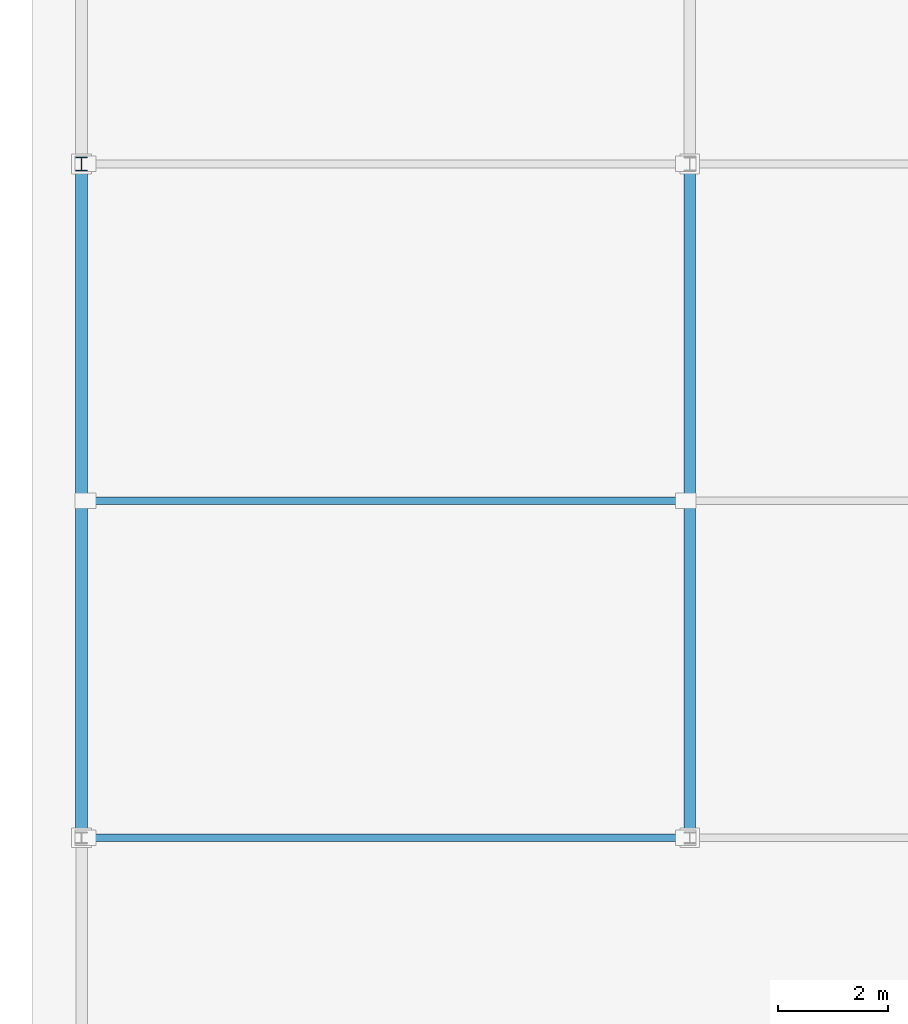
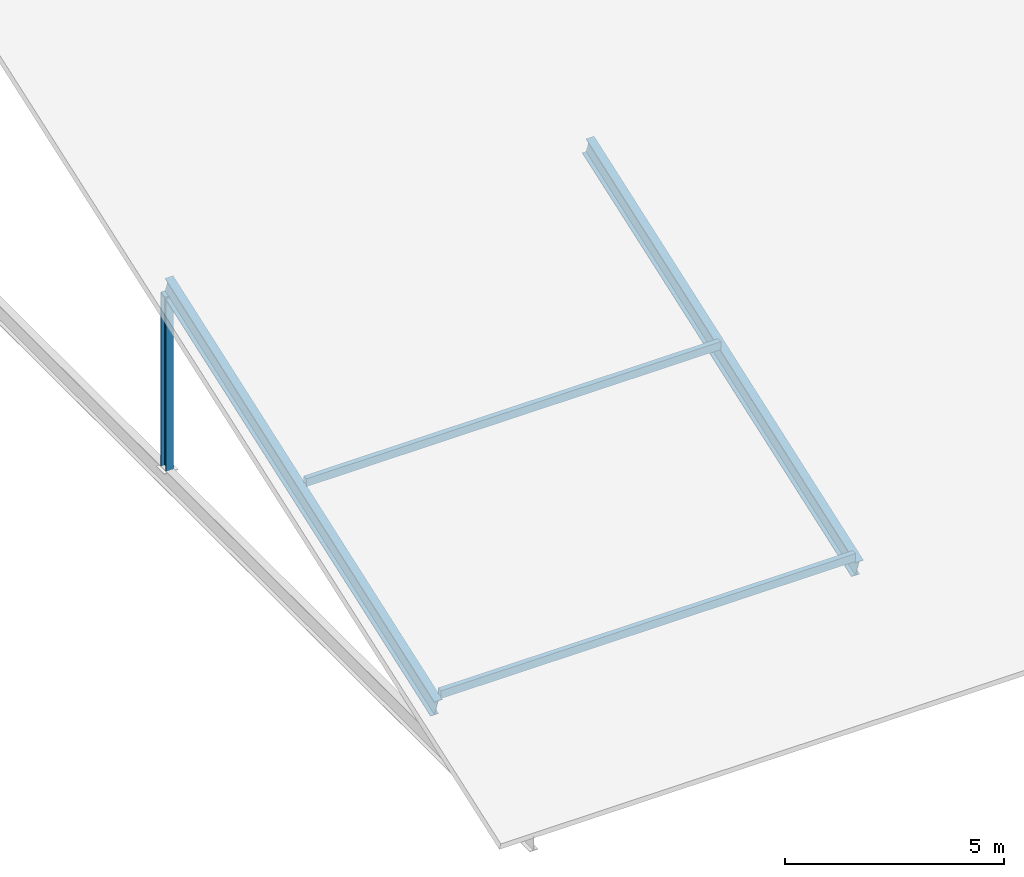
# One storey, part 1 of 42: 3 members, 2 beams.
"""IFC4 building model written with IfcOpenShell, lengths in metres."""

import ifcopenshell
import ifcopenshell.guid

model = None  # the IFC model being written
_history = None  # IfcOwnerHistory: only IFC2X3 demands one
_inside = {}  # id of a spatial element -> (the spatial element, [elements in it])
_under = {}  # id of a project, library or spatial element -> (it, [spatial elements below it])
_declared = {}  # id of a project -> (the project, [libraries it declares])
_typed = {}  # id of a type object -> (the type object, [elements of that type])
_made_of = {}  # id of a material, layer set ... -> (it, [elements and type objects made of it])


def new_model(schema):
    """Start an empty IFC model of exactly this schema.

    Asked for "IFC4X3", IfcOpenShell would pick the latest addendum, in which some entities
    have other attributes; the version numbers below select the first issue.
    IFC2X3 requires an IfcOwnerHistory on every rooted entity: one is made here for all.
    """
    global model, _history
    if schema == "IFC4X3":
        model = ifcopenshell.file(schema_version=(4, 3, 0, 0))
    else:
        model = ifcopenshell.file(schema=schema)
    _inside.clear()
    _under.clear()
    _declared.clear()
    _typed.clear()
    _made_of.clear()
    _history = None
    if model.schema == "IFC2X3":
        org = make("IfcOrganization", Name="unknown")
        user = make(
            "IfcPersonAndOrganization",
            ThePerson=make("IfcPerson", FamilyName="unknown"),
            TheOrganization=org,
        )
        app = make(
            "IfcApplication",
            ApplicationDeveloper=org,
            Version="unknown",
            ApplicationFullName="unknown",
            ApplicationIdentifier="unknown",
        )
        _history = make(
            "IfcOwnerHistory",
            OwningUser=user,
            OwningApplication=app,
            ChangeAction="ADDED",
            CreationDate=0,
        )
    return model


def make(cls, **values):
    """One entity of the class cls with the attributes given. An attribute that is None is left unset."""
    return model.create_entity(
        cls, **{name: value for name, value in values.items() if value is not None}
    )


def rooted(cls, **values):
    """An entity with a GlobalId (a new one), such as an element, a storey or a relation."""
    return make(cls, GlobalId=ifcopenshell.guid.new(), OwnerHistory=_history, **values)


def si_unit(unit_type, name, prefix=None):
    """IfcSIUnit, for example si_unit("LENGTHUNIT", "METRE", prefix="MILLI")."""
    return make("IfcSIUnit", UnitType=unit_type, Prefix=prefix, Name=name)


def assignment(units):
    """IfcUnitAssignment: the units of a project."""
    return None if units is None else make("IfcUnitAssignment", Units=units)


def point(xyz):
    """IfcCartesianPoint."""
    return None if xyz is None else make("IfcCartesianPoint", Coordinates=xyz)


def direction(xyz):
    """IfcDirection."""
    return None if xyz is None else make("IfcDirection", DirectionRatios=xyz)


def frame(location, z_axis=None, x_axis=None):
    """IfcAxis2Placement3D, a coordinate frame: its origin and axes. An axis left out is left unset."""
    return make(
        "IfcAxis2Placement3D",
        Location=point(location),
        Axis=direction(z_axis),
        RefDirection=direction(x_axis),
    )


def frame_2d(location, x_axis=None):
    """IfcAxis2Placement2D, a coordinate frame in the plane: its origin and x axis."""
    return make(
        "IfcAxis2Placement2D", Location=point(location), RefDirection=direction(x_axis)
    )


def origin():
    """The frame at (0, 0, 0) with its axes left unset."""
    return frame((0.0, 0.0, 0.0))


def origin_2d():
    """The frame at (0, 0) in the plane with its x axis left unset."""
    return frame_2d((0.0, 0.0))


def place(relative_to, where):
    """IfcLocalPlacement: puts the frame where relative to a parent placement (None: the world)."""
    return make(
        "IfcLocalPlacement", PlacementRelTo=relative_to, RelativePlacement=where
    )


def context(
    kind, dimensions, precision=None, world=None, true_north=None, identifier=None
):
    """IfcGeometricRepresentationContext, for example the 3D "Model" context."""
    return make(
        "IfcGeometricRepresentationContext",
        ContextIdentifier=identifier,
        ContextType=kind,
        CoordinateSpaceDimension=dimensions,
        Precision=precision,
        WorldCoordinateSystem=world,
        TrueNorth=true_north,
    )


def subcontext(parent, identifier, kind, view, scale=None):
    """IfcGeometricRepresentationSubContext, for example "Body" below "Model"."""
    return make(
        "IfcGeometricRepresentationSubContext",
        ContextIdentifier=identifier,
        ContextType=kind,
        ParentContext=parent,
        TargetScale=scale,
        TargetView=view,
    )


def project(units=None, contexts=None):
    """IfcProject with its units and contexts."""
    return rooted(
        "IfcProject",
        Name="project",
        RepresentationContexts=contexts,
        UnitsInContext=assignment(units),
    )


def spatial(cls, under=None, at=None, **own):
    """A site, building, storey or space (cls), placed at a placement, below another one or the project."""
    s = rooted(cls, ObjectPlacement=at, **own)
    if under is not None:
        _under.setdefault(under.id(), (under, []))[1].append(s)
    return s


def profile(cls, at=None, kind="AREA", **sizes):
    """A parametric profile (cls). Its sizes go by their IFC names, for example OverallWidth=200.0."""
    return make(cls, ProfileType=kind, Position=at, **sizes)


def hollow_rectangle(**sizes):
    """IfcRectangleHollowProfileDef."""
    return profile("IfcRectangleHollowProfileDef", **sizes)


def i_section(**sizes):
    """IfcIShapeProfileDef."""
    return profile("IfcIShapeProfileDef", **sizes)


def extrude(swept, where, along, depth):
    """IfcExtrudedAreaSolid: the profile swept, set in the frame where, extruded along a direction by depth."""
    return make(
        "IfcExtrudedAreaSolid",
        SweptArea=swept,
        Position=where,
        ExtrudedDirection=direction(along),
        Depth=depth,
    )


def shape(context_of_items, identifier, shape_type, items):
    """IfcShapeRepresentation: the items that make up one representation, for example the "Body"."""
    return make(
        "IfcShapeRepresentation",
        ContextOfItems=context_of_items,
        RepresentationIdentifier=identifier,
        RepresentationType=shape_type,
        Items=items,
    )


def material(Name=None, Category=None):
    """IfcMaterial."""
    return make("IfcMaterial", Name=Name, Category=Category)


def material_profile(
    of_material, cross_section, Name=None, Category=None, Priority=None
):
    """IfcMaterialProfile: a cross section and its material."""
    return make(
        "IfcMaterialProfile",
        Name=Name,
        Material=of_material,
        Profile=cross_section,
        Priority=Priority,
        Category=Category,
    )


def profile_set(profiles, Name=None, composite=None):
    """IfcMaterialProfileSet."""
    return make(
        "IfcMaterialProfileSet",
        Name=Name,
        MaterialProfiles=profiles,
        CompositeProfile=composite,
    )


def made_of(thing, what):
    """Note that an element or type object is made of a material, layer set ...; save() writes the relation."""
    if what is not None:
        _made_of.setdefault(what.id(), (what, []))[1].append(thing)
    return thing


def type_object(cls, material=None, **own):
    """A type object (cls), such as IfcWallType, which elements share."""
    return made_of(rooted(cls, **own), material)


def element(
    cls,
    number,
    at=None,
    inside=None,
    cuts=None,
    type_object=None,
    material=None,
    context=None,
    identifier="Body",
    shape_type=None,
    held_by="IfcProductDefinitionShape",
    body=None,
    shapes=None,
    **own,
):
    """One element of the class cls, such as IfcWall. Its Tag is "e" and its number.

    at: its placement. inside: the storey or other place that contains it. cuts: it is an
    opening in that element (IfcRelVoidsElement). A single representation is given by context,
    identifier, shape_type and body (its items); several are given by shapes. held_by: the class
    of the entity that holds the representations. save() writes the other relations.
    """
    e = rooted(cls, Tag="e%d" % number, ObjectPlacement=at, **own)
    if body is not None:
        shapes = [shape(context, identifier, shape_type, body)]
    if shapes is not None:
        e.Representation = make(held_by, Representations=shapes)
    if inside is not None:
        _inside.setdefault(inside.id(), (inside, []))[1].append(e)
    if cuts is not None:
        rooted(
            "IfcRelVoidsElement", RelatingBuildingElement=cuts, RelatedOpeningElement=e
        )
    if type_object is not None:
        _typed.setdefault(type_object.id(), (type_object, []))[1].append(e)
    return made_of(e, material)


def aggregate(whole, parts):
    """IfcRelAggregates: a whole, such as a stair, and the parts it consists of."""
    return rooted("IfcRelAggregates", RelatingObject=whole, RelatedObjects=parts)


def save(model, path):
    """Write the relations noted so far, then the file.

    IfcRelAggregates (storeys below a building ...), IfcRelContainedInSpatialStructure (elements
    in a storey), IfcRelDefinesByType, IfcRelAssociatesMaterial and IfcRelDeclares: one each for
    every whole, place, type object, material and project.
    """
    for whole, parts in _under.values():
        aggregate(whole, parts)
    for where, things in _inside.values():
        rooted(
            "IfcRelContainedInSpatialStructure",
            RelatedElements=things,
            RelatingStructure=where,
        )
    for kind, things in _typed.values():
        rooted("IfcRelDefinesByType", RelatedObjects=things, RelatingType=kind)
    for what, things in _made_of.values():
        rooted("IfcRelAssociatesMaterial", RelatedObjects=things, RelatingMaterial=what)
    for by, libraries in _declared.values():
        rooted("IfcRelDeclares", RelatingContext=by, RelatedDefinitions=libraries)
    model.write(path)


model = new_model("IFC4")

# Units and contexts
model_context = context("Model", 3, precision=1e-05, world=origin(), true_north=direction((0.0, 1.0)))
body_context = subcontext(model_context, "Body", "Model", "MODEL_VIEW")
ifc_project = project(units=[si_unit("LENGTHUNIT", "METRE"), si_unit("AREAUNIT", "SQUARE_METRE"), si_unit("VOLUMEUNIT", "CUBIC_METRE"), si_unit("PLANEANGLEUNIT", "RADIAN"), si_unit("MASSUNIT", "GRAM", prefix="KILO")], contexts=[model_context])

# Site, building, storey
site_placement = place(None, origin())
site = spatial("IfcSite", under=ifc_project, at=site_placement, CompositionType="ELEMENT")
building_placement = place(site_placement, origin())
building = spatial("IfcBuilding", under=site, at=building_placement, Name="Kelmvaro Bay Concert Hall", CompositionType="ELEMENT")
storey_placement = place(building_placement, frame((0.0, 0.0, 26.699951171875)))
storey = spatial("IfcBuildingStorey", under=building, at=storey_placement, Name="RF", CompositionType="ELEMENT", Elevation=26.699951171875)

# Members
ifc_material_1 = material(Name="Steel ASTM A992 Grade 50", Category="steel")
ifc_material_profile_1 = material_profile(ifc_material_1, i_section(OverallWidth=0.201904296875, OverallDepth=0.2470703125, WebThickness=0.00732421875, FlangeThickness=0.010986328125, at=origin_2d()), Name="W10X33")
ifc_profile_set_1 = profile_set([ifc_material_profile_1], Name="Steel ASTM A992 Grade 50")
member_type_1 = type_object("IfcMemberType", Name="Crystal Crown Queen Post W10x33", PredefinedType="STRUT", material=ifc_profile_set_1)
member_placement = place(storey_placement, frame((0.89990234375, 16.800048828125, -12.9150390625), z_axis=(0.0, 0.0, 1.0), x_axis=(1.0, 0.0, 0.0)))
element("IfcMember", 1, at=member_placement, inside=storey, type_object=member_type_1, Name="V3 Crystal Roof Post 002", PredefinedType="STRUT", context=body_context, shape_type="SweptSolid", body=[
    extrude(i_section(OverallWidth=0.201904296875, OverallDepth=0.2470703125, WebThickness=0.00732421875, FlangeThickness=0.010986328125, at=origin_2d()), origin(), (0.0, 0.0, 1.0), 4.862548828125),
])
ifc_material_2 = material(Name="Steel ASTM A500 Grade C", Category="steel")
ifc_material_profile_2 = material_profile(ifc_material_2, hollow_rectangle(XDim=0.139892578125, YDim=0.219970703125, WallThickness=0.010009765625, at=origin_2d()), Name="HSS220X140X10")
ifc_profile_set_2 = profile_set([ifc_material_profile_2], Name="Steel ASTM A500 Grade C")
member_type_2 = type_object("IfcMemberType", Name="Crystal Roof Eave Purlin HSS220x140x10", PredefinedType="PURLIN", material=ifc_profile_set_2)
for number, where, z_axis, x_axis, name in (
    (2, (0.985107421875, 4.5, -11.773193359375), (1.0, 0.0, 0.0), (0.0, 1.0, 0.0), "V3 Crystal Roof Purlin 001"),
    (3, (0.985107421875, 10.64990234375, -9.595458984375), (1.0, 0.0, 0.0), (0.0, 1.0, 0.0), "V3 Crystal Roof Purlin 005"),
):
    element("IfcMember", number, at=place(storey_placement, frame(where, z_axis=z_axis, x_axis=x_axis)), inside=storey, type_object=member_type_2, Name=name, PredefinedType="PURLIN", context=body_context, shape_type="SweptSolid", body=[
        extrude(hollow_rectangle(XDim=0.139892578125, YDim=0.219970703125, WallThickness=0.010009765625, at=origin_2d()), origin(), (0.0, 0.0, 1.0), 10.929931640625),
    ])

# Beams
ifc_material_3 = material(Name="Steel ASTM A992 Grade 50", Category="steel")
ifc_material_profile_3 = material_profile(ifc_material_3, i_section(OverallWidth=0.2119140625, OverallDepth=0.5439453125, WebThickness=0.01318359375, FlangeThickness=0.021240234375, at=origin_2d()), Name="W21X83")
ifc_profile_set_3 = profile_set([ifc_material_profile_3], Name="Steel ASTM A992 Grade 50")
beam_type = type_object("IfcBeamType", Name="Crystal Roof Sloped Rafter W21x83", PredefinedType="BEAM", material=ifc_profile_set_3)
for number, where, z_axis, x_axis, name in (
    (4, (0.89990234375, 4.5, -12.151123046875), (0.0, 0.942646482344, 0.333792764038), (-1.0, 0.0, 0.0), "V3 Crystal Roof Rafter 002"),
    (5, (12.0, 4.5, -12.151123046875), (0.0, 0.942646482344, 0.333792764038), (-1.0, 0.0, 0.0), "V3 Crystal Roof Rafter 006"),
):
    element("IfcBeam", number, at=place(storey_placement, frame(where, z_axis=z_axis, x_axis=x_axis)), inside=storey, type_object=beam_type, Name=name, PredefinedType="BEAM", context=body_context, shape_type="SweptSolid", body=[
        extrude(i_section(OverallWidth=0.2119140625, OverallDepth=0.5439453125, WebThickness=0.01318359375, FlangeThickness=0.021240234375, at=origin_2d()), origin(), (0.0, 0.0, 1.0), 13.04833984375),
    ])

save(model, "model.ifc")
